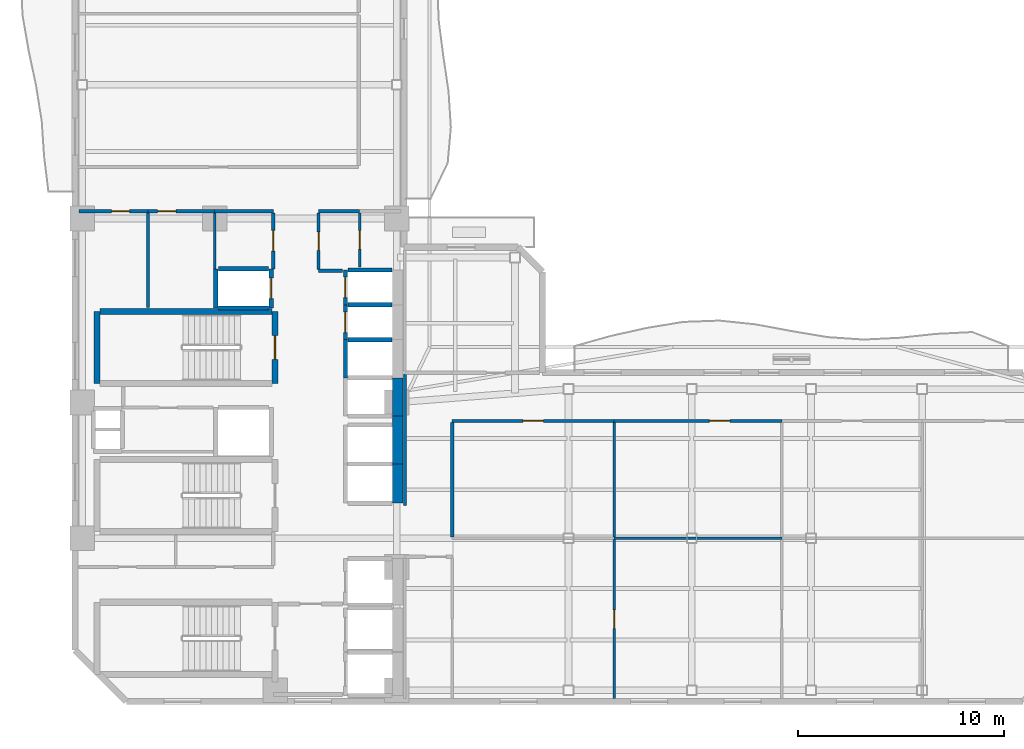
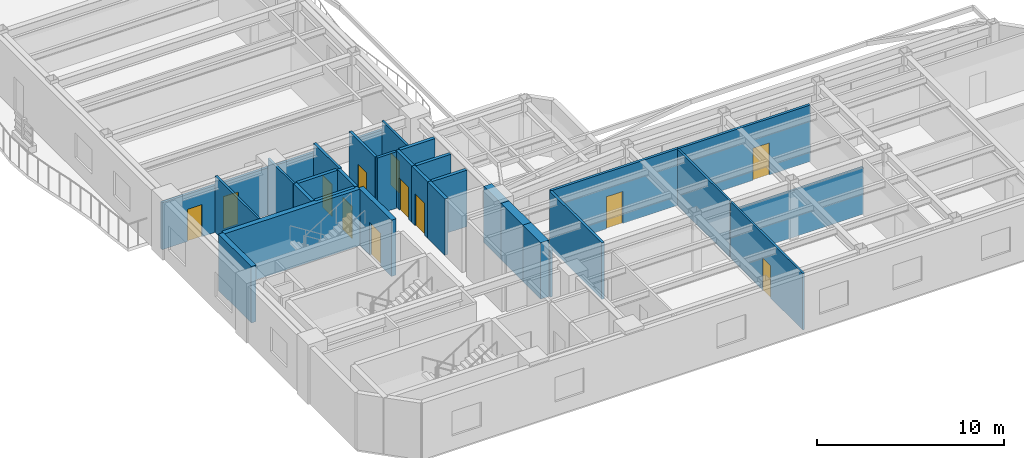
# One storey, part 4 of 10: 33 walls, 12 doors, 12 openings.
"""IFC4 building model written with IfcOpenShell, lengths in metres."""

from ifc_helpers import new_model, si_unit, direction, frame, frame_2d, origin, place, context, subcontext, project, spatial, rectangle, extrude, material, layer, layer_set, type_object, element, fill, save


model = new_model("IFC4")

# Units and contexts
model_context = context("Model", 3, precision=1e-05, world=origin(), true_north=direction((0.0, 1.0)))
body_context = subcontext(model_context, "Body", "Model", "MODEL_VIEW")
ifc_project = project(units=[si_unit("LENGTHUNIT", "METRE"), si_unit("AREAUNIT", "SQUARE_METRE"), si_unit("VOLUMEUNIT", "CUBIC_METRE"), si_unit("PLANEANGLEUNIT", "RADIAN"), si_unit("MASSUNIT", "GRAM", prefix="KILO")], contexts=[model_context])

# Site, building, storey
site_placement = place(None, origin())
site = spatial("IfcSite", under=ifc_project, at=site_placement, CompositionType="ELEMENT")
building_placement = place(site_placement, origin())
building = spatial("IfcBuilding", under=site, at=building_placement, Name="Mawjaban Terraces University", CompositionType="ELEMENT")
storey_placement = place(building_placement, frame((0.0, 0.0, 158.0)))
storey = spatial("IfcBuildingStorey", under=building, at=storey_placement, Name="L38", CompositionType="ELEMENT", Elevation=158.0)

# Walls
ifc_material_1 = material(Name="Concrete C60/75", Category="concrete")
ifc_layer_1 = layer(ifc_material_1, 0.5)
ifc_layer_set_1 = layer_set([ifc_layer_1], Name="Concrete C60/75")
wall_type_1 = type_object("IfcWallType", Name="CoreShearWall_500", PredefinedType="SHEAR", material=ifc_layer_set_1)
wall_1_placement = place(storey_placement, frame((37.699951171875, 9.64990234375, 0.0), z_axis=(0.0, 0.0, 1.0), x_axis=(0.0, 1.0, 0.0)))
element("IfcWall", 1, at=wall_1_placement, inside=storey, type_object=wall_type_1, Name="L38 Lift PL-H1 Hoistway Wall East", PredefinedType="SHEAR", context=body_context, shape_type="SweptSolid", body=[
    extrude(rectangle(XDim=1.900146484375, YDim=0.5, at=frame_2d((0.9501953125, 0.0))), origin(), (0.0, 0.0, 1.0), 3.68994140625),
])
wall_2_placement = place(storey_placement, frame((37.699951171875, 11.550048828125, 0.0), z_axis=(0.0, 0.0, 1.0), x_axis=(0.0, 1.0, 0.0)))
element("IfcWall", 2, at=wall_2_placement, inside=storey, type_object=wall_type_1, Name="L38 Lift PL-H2 Hoistway Wall East", PredefinedType="SHEAR", context=body_context, shape_type="SweptSolid", body=[
    extrude(rectangle(XDim=2.349853515625, YDim=0.5, at=frame_2d((1.1748046875, 0.0))), origin(), (0.0, 0.0, 1.0), 3.68994140625),
])
wall_3_placement = place(storey_placement, frame((37.699951171875, 13.89990234375, 0.0), z_axis=(0.0, 0.0, 1.0), x_axis=(0.0, 1.0, 0.0)))
element("IfcWall", 3, at=wall_3_placement, inside=storey, type_object=wall_type_1, Name="L38 Lift OL-1 Hoistway Wall East", PredefinedType="SHEAR", context=body_context, shape_type="SweptSolid", body=[
    extrude(rectangle(XDim=1.85009765625, YDim=0.5, at=frame_2d((0.925048828125, 0.0))), origin(), (0.0, 0.0, 1.0), 3.68994140625),
])

# Wall, opening, door
ifc_material_2 = material(Name="Fire-rated gypsum board on steel stud", Category="steel")
ifc_layer_2 = layer(ifc_material_2, 0.159912109375)
ifc_layer_set_2 = layer_set([ifc_layer_2], Name="Fire-rated gypsum board on steel stud")
wall_type_2 = type_object("IfcWallType", Name="CorridorPartition_160", PredefinedType="PARTITIONING", material=ifc_layer_set_2)
wall_4_placement = place(storey_placement, frame((25.550048828125, 23.85009765625, 0.0), z_axis=(0.0, 0.0, 1.0), x_axis=(-1.0, 0.0, 0.0)))
wall_4 = element("IfcWall", 4, at=wall_4_placement, inside=storey, type_object=wall_type_2, Name="L38 Female Toilet Partition 3", PredefinedType="PARTITIONING", context=body_context, shape_type="SweptSolid", body=[
    extrude(rectangle(XDim=3.35009765625, YDim=0.159912109375, at=frame_2d((1.675048828125, 0.0))), origin(), (0.0, 0.0, 1.0), 3.073974609375),
])
opening_1_placement = place(wall_4_placement, frame((0.885009765625, 0.0, 0.0)))
opening_1 = element("IfcOpeningElement", 5, at=opening_1_placement, cuts=wall_4, Name="Opening ID-088", PredefinedType="OPENING", context=body_context, shape_type="SweptSolid", body=[
    extrude(rectangle(XDim=0.8798828125, YDim=2.10009765625, at=frame_2d((0.43994140625, 1.050048828125))), frame((0.0, 0.08984375, 0.0), z_axis=(0.0, -1.0, 0.0), x_axis=(1.0, 0.0, 0.0)), (0.0, 0.0, 1.0), 0.179931640625),
])
ifc_material_3 = material(Name="Powder-coated steel frame and solid acoustic timber leaf", Category="steel")
door_type_1 = type_object("IfcDoorType", Name="ToiletDoor_880x2100", OperationType="NOTDEFINED", PredefinedType="DOOR", material=ifc_material_3)
door_1_placement = place(opening_1_placement, origin())
door_1 = element("IfcDoor", 6, at=door_1_placement, inside=storey, type_object=door_type_1, Name="L38 Female Toilet Door", OperationType="SINGLE_SWING_LEFT", OverallHeight=2.10009765625, OverallWidth=0.8798828125, PredefinedType="DOOR", context=body_context, shape_type="SweptSolid", body=[
    extrude(rectangle(XDim=0.8798828125, YDim=2.10009765625, at=frame_2d((0.43994140625, 1.050048828125))), frame((0.0, 0.02490234375, 0.0), z_axis=(0.0, -1.0, 0.0), x_axis=(1.0, 0.0, 0.0)), (0.0, 0.0, 1.0), 0.050048828125),
])
fill(opening_1, door_1)

wall_5_placement = place(storey_placement, frame((28.800048828125, 23.85009765625, 0.0), z_axis=(0.0, 0.0, 1.0), x_axis=(-1.0, 0.0, 0.0)))
wall_5 = element("IfcWall", 7, at=wall_5_placement, inside=storey, type_object=wall_type_2, Name="L38 Staff Tea Pantry Partition 5", PredefinedType="PARTITIONING", context=body_context, shape_type="SweptSolid", body=[
    extrude(rectangle(XDim=3.25, YDim=0.159912109375, at=frame_2d((1.625, 0.0))), origin(), (0.0, 0.0, 1.0), 3.073974609375),
])
opening_2_placement = place(wall_5_placement, frame((1.875, 0.0, 0.0)))
opening_2 = element("IfcOpeningElement", 8, at=opening_2_placement, cuts=wall_5, Name="Opening ID-090", PredefinedType="OPENING", context=body_context, shape_type="SweptSolid", body=[
    extrude(rectangle(XDim=0.89990234375, YDim=2.10009765625, at=frame_2d((0.449951171875, 1.050048828125))), frame((0.0, 0.08984375, 0.0), z_axis=(0.0, -1.0, 0.0), x_axis=(1.0, 0.0, 0.0)), (0.0, 0.0, 1.0), 0.179931640625),
])
door_type_2 = type_object("IfcDoorType", Name="OfficeDoor_900x2100", OperationType="NOTDEFINED", PredefinedType="DOOR", material=ifc_material_3)
door_2_placement = place(opening_2_placement, origin())
door_2 = element("IfcDoor", 9, at=door_2_placement, inside=storey, type_object=door_type_2, Name="L38 Staff Tea Pantry Door", OperationType="SINGLE_SWING_RIGHT", OverallHeight=2.10009765625, OverallWidth=0.89990234375, PredefinedType="DOOR", context=body_context, shape_type="SweptSolid", body=[
    extrude(rectangle(XDim=0.89990234375, YDim=2.10009765625, at=frame_2d((0.449951171875, 1.050048828125))), frame((0.0, 0.02490234375, 0.0), z_axis=(0.0, -1.0, 0.0), x_axis=(1.0, 0.0, 0.0)), (0.0, 0.0, 1.0), 0.050048828125),
])
fill(opening_2, door_2)

# Walls
wall_6_placement = place(storey_placement, frame((31.64990234375, 23.85009765625, 0.0), z_axis=(0.0, 0.0, 1.0), x_axis=(-1.0, 0.0, 0.0)))
element("IfcWall", 10, at=wall_6_placement, inside=storey, type_object=wall_type_2, Name="L38 Academic Tutorial Alcove Partition 8", PredefinedType="PARTITIONING", context=body_context, shape_type="SweptSolid", body=[
    extrude(rectangle(XDim=2.849853515625, YDim=0.159912109375, at=frame_2d((1.4248046875, 0.0))), origin(), (0.0, 0.0, 1.0), 3.073974609375),
])
wall_7_placement = place(storey_placement, frame((35.02001953125, 20.949951171875, 0.0), z_axis=(0.0, 0.0, 1.0), x_axis=(-1.0, 0.0, 0.0)))
element("IfcWall", 11, at=wall_7_placement, inside=storey, type_object=wall_type_2, Name="L38 Passenger Lift Lobby Partition 10", PredefinedType="PARTITIONING", context=body_context, shape_type="SweptSolid", body=[
    extrude(rectangle(XDim=1.169921875, YDim=0.159912109375, at=frame_2d((0.5849609375, 0.0))), origin(), (0.0, 0.0, 1.0), 3.68994140625),
])
wall_8_placement = place(storey_placement, frame((35.85009765625, 23.85009765625, 0.0), z_axis=(0.0, 0.0, 1.0), x_axis=(-1.0, 0.0, 0.0)))
element("IfcWall", 12, at=wall_8_placement, inside=storey, type_object=wall_type_2, Name="L38 Departmental Resource Seminar Room Partition 14", PredefinedType="PARTITIONING", context=body_context, shape_type="SweptSolid", body=[
    extrude(rectangle(XDim=2.0, YDim=0.159912109375, at=frame_2d((1.0, 0.0))), origin(), (0.0, 0.0, 1.0), 3.073974609375),
])

# Wall, opening, door
wall_9_placement = place(storey_placement, frame((40.35009765625, 13.64990234375, 0.0), z_axis=(0.0, 0.0, 1.0), x_axis=(1.0, 0.0, 0.0)))
wall_9 = element("IfcWall", 13, at=wall_9_placement, inside=storey, type_object=wall_type_2, Name="L38 Inner Terrace Gallery Corridor East Partition 17", PredefinedType="PARTITIONING", context=body_context, shape_type="SweptSolid", body=[
    extrude(rectangle(XDim=7.869873046875, YDim=0.159912109375, at=frame_2d((3.93505859375, 0.0))), origin(), (0.0, 0.0, 1.0), 3.68994140625),
])
opening_3_placement = place(wall_9_placement, frame((3.43505859375, 0.0, 0.0)))
opening_3 = element("IfcOpeningElement", 14, at=opening_3_placement, cuts=wall_9, Name="Opening ID-100", PredefinedType="OPENING", context=body_context, shape_type="SweptSolid", body=[
    extrude(rectangle(XDim=1.0, YDim=2.10009765625, at=frame_2d((0.5, 1.050048828125))), frame((0.0, 0.08984375, 0.0), z_axis=(0.0, -1.0, 0.0), x_axis=(1.0, 0.0, 0.0)), (0.0, 0.0, 1.0), 0.179931640625),
])
door_type_3 = type_object("IfcDoorType", Name="ClassroomDoor_1000x2100", OperationType="NOTDEFINED", PredefinedType="DOOR", material=ifc_material_3)
door_3_placement = place(opening_3_placement, origin())
door_3 = element("IfcDoor", 15, at=door_3_placement, inside=storey, type_object=door_type_3, Name="L38 Classroom 3 Door", OperationType="SINGLE_SWING_LEFT", OverallHeight=2.10009765625, OverallWidth=1.0, PredefinedType="DOOR", context=body_context, shape_type="SweptSolid", body=[
    extrude(rectangle(XDim=1.0, YDim=2.10009765625, at=frame_2d((0.5, 1.050048828125))), frame((0.0, 0.02490234375, 0.0), z_axis=(0.0, -1.0, 0.0), x_axis=(1.0, 0.0, 0.0)), (0.0, 0.0, 1.0), 0.050048828125),
])
fill(opening_3, door_3)

wall_10_placement = place(storey_placement, frame((48.219970703125, 13.64990234375, 0.0), z_axis=(0.0, 0.0, 1.0), x_axis=(1.0, 0.0, 0.0)))
wall_10 = element("IfcWall", 16, at=wall_10_placement, inside=storey, type_object=wall_type_2, Name="L38 Inner Terrace Gallery Corridor East Partition 21", PredefinedType="PARTITIONING", context=body_context, shape_type="SweptSolid", body=[
    extrude(rectangle(XDim=8.159912109375, YDim=0.159912109375, at=frame_2d((4.080078125, 0.0))), origin(), (0.0, 0.0, 1.0), 3.68994140625),
])
opening_4_placement = place(wall_10_placement, frame((4.6298828125, 0.0, 0.0)))
opening_4 = element("IfcOpeningElement", 17, at=opening_4_placement, cuts=wall_10, Name="Opening ID-100", PredefinedType="OPENING", context=body_context, shape_type="SweptSolid", body=[
    extrude(rectangle(XDim=1.0, YDim=2.10009765625, at=frame_2d((0.5, 1.050048828125))), frame((0.0, 0.08984375, 0.0), z_axis=(0.0, -1.0, 0.0), x_axis=(1.0, 0.0, 0.0)), (0.0, 0.0, 1.0), 0.179931640625),
])
door_4_placement = place(opening_4_placement, origin())
door_4 = element("IfcDoor", 18, at=door_4_placement, inside=storey, type_object=door_type_3, Name="L38 Tutorial Room 5 Door", OperationType="SINGLE_SWING_LEFT", OverallHeight=2.10009765625, OverallWidth=1.0, PredefinedType="DOOR", context=body_context, shape_type="SweptSolid", body=[
    extrude(rectangle(XDim=1.0, YDim=2.10009765625, at=frame_2d((0.5, 1.050048828125))), frame((0.0, 0.02490234375, 0.0), z_axis=(0.0, -1.0, 0.0), x_axis=(1.0, 0.0, 0.0)), (0.0, 0.0, 1.0), 0.050048828125),
])
fill(opening_4, door_4)

wall_11_placement = place(storey_placement, frame((31.64990234375, 23.77490234375, 0.0), z_axis=(0.0, 0.0, 1.0), x_axis=(0.0, -1.0, 0.0)))
wall_11 = element("IfcWall", 19, at=wall_11_placement, inside=storey, type_object=wall_type_2, Name="L38 Core North Lift Lobby Partition 32", PredefinedType="PARTITIONING", context=body_context, shape_type="SweptSolid", body=[
    extrude(rectangle(XDim=2.724853515625, YDim=0.159912109375, at=frame_2d((1.3623046875, 0.0))), origin(), (0.0, 0.0, 1.0), 3.68994140625),
])
opening_5_placement = place(wall_11_placement, frame((0.862060546875, 0.0, 0.0)))
opening_5 = element("IfcOpeningElement", 20, at=opening_5_placement, cuts=wall_11, Name="Opening ID-100", PredefinedType="OPENING", context=body_context, shape_type="SweptSolid", body=[
    extrude(rectangle(XDim=1.0, YDim=2.10009765625, at=frame_2d((0.5, 1.050048828125))), frame((0.0, 0.08984375, 0.0), z_axis=(0.0, -1.0, 0.0), x_axis=(1.0, 0.0, 0.0)), (0.0, 0.0, 1.0), 0.179931640625),
])
door_5_placement = place(opening_5_placement, origin())
door_5 = element("IfcDoor", 21, at=door_5_placement, inside=storey, type_object=door_type_3, Name="L38 Academic Tutorial Alcove Door", OperationType="SINGLE_SWING_LEFT", OverallHeight=2.10009765625, OverallWidth=1.0, PredefinedType="DOOR", context=body_context, shape_type="SweptSolid", body=[
    extrude(rectangle(XDim=1.0, YDim=2.10009765625, at=frame_2d((0.5, 1.050048828125))), frame((0.0, 0.02490234375, 0.0), z_axis=(0.0, -1.0, 0.0), x_axis=(1.0, 0.0, 0.0)), (0.0, 0.0, 1.0), 0.050048828125),
])
fill(opening_5, door_5)

wall_12_placement = place(storey_placement, frame((33.85009765625, 21.02490234375, 0.0), z_axis=(0.0, 0.0, 1.0), x_axis=(0.0, 1.0, 0.0)))
wall_12 = element("IfcWall", 22, at=wall_12_placement, inside=storey, type_object=wall_type_2, Name="L38 Core North Lift Lobby Partition 33", PredefinedType="PARTITIONING", context=body_context, shape_type="SweptSolid", body=[
    extrude(rectangle(XDim=2.75, YDim=0.159912109375, at=frame_2d((1.375, 0.0))), origin(), (0.0, 0.0, 1.0), 3.68994140625),
])
opening_6_placement = place(wall_12_placement, frame((0.925048828125, 0.0, 0.0)))
opening_6 = element("IfcOpeningElement", 23, at=opening_6_placement, cuts=wall_12, Name="Opening ID-090", PredefinedType="OPENING", context=body_context, shape_type="SweptSolid", body=[
    extrude(rectangle(XDim=0.89990234375, YDim=2.10009765625, at=frame_2d((0.449951171875, 1.050048828125))), frame((0.0, 0.08984375, 0.0), z_axis=(0.0, -1.0, 0.0), x_axis=(1.0, 0.0, 0.0)), (0.0, 0.0, 1.0), 0.179931640625),
])
door_6_placement = place(opening_6_placement, origin())
door_6 = element("IfcDoor", 24, at=door_6_placement, inside=storey, type_object=door_type_2, Name="L38 Departmental Resource Seminar Room Door", OperationType="SINGLE_SWING_LEFT", OverallHeight=2.10009765625, OverallWidth=0.89990234375, PredefinedType="DOOR", context=body_context, shape_type="SweptSolid", body=[
    extrude(rectangle(XDim=0.89990234375, YDim=2.10009765625, at=frame_2d((0.449951171875, 1.050048828125))), frame((0.0, 0.02490234375, 0.0), z_axis=(0.0, -1.0, 0.0), x_axis=(1.0, 0.0, 0.0)), (0.0, 0.0, 1.0), 0.050048828125),
])
fill(opening_6, door_6)

# Walls
wall_13_placement = place(storey_placement, frame((38.050048828125, 15.925048828125, 0.0), z_axis=(0.0, 0.0, 1.0), x_axis=(0.0, -1.0, 0.0)))
element("IfcWall", 25, at=wall_13_placement, inside=storey, type_object=wall_type_2, Name="L38 Inner Gallery Link Corridor Partition 39", PredefinedType="PARTITIONING", context=body_context, shape_type="SweptSolid", body=[
    extrude(rectangle(XDim=6.375, YDim=0.159912109375, at=frame_2d((3.1875, 0.0))), origin(), (0.0, 0.0, 1.0), 3.073974609375),
])
wall_14_placement = place(storey_placement, frame((40.35009765625, 8.0, 0.0), z_axis=(0.0, 0.0, 1.0), x_axis=(0.0, 1.0, 0.0)))
element("IfcWall", 26, at=wall_14_placement, inside=storey, type_object=wall_type_2, Name="L38 Inner Gallery Link Corridor Partition 42", PredefinedType="PARTITIONING", context=body_context, shape_type="SweptSolid", body=[
    extrude(rectangle(XDim=5.574951171875, YDim=0.159912109375, at=frame_2d((2.78759765625, 0.0))), origin(), (0.0, 0.0, 1.0), 3.68994140625),
])
ifc_material_4 = material(Name="Concrete C40/50", Category="concrete")
ifc_layer_3 = layer(ifc_material_4, 0.199951171875)
ifc_layer_set_3 = layer_set([ifc_layer_3], Name="Concrete C40/50")
wall_type_3 = type_object("IfcWallType", Name="FireLobbyWall_200", PredefinedType="SOLIDWALL", material=ifc_layer_set_3)
wall_15_placement = place(storey_placement, frame((35.14990234375, 17.60009765625, 0.0), z_axis=(0.0, 0.0, 1.0), x_axis=(0.0, -1.0, 0.0)))
element("IfcWall", 27, at=wall_15_placement, inside=storey, type_object=wall_type_3, Name="L38 Lift OL-2 Hoistway Wall West", PredefinedType="SOLIDWALL", context=body_context, shape_type="SweptSolid", body=[
    extrude(rectangle(XDim=1.85009765625, YDim=0.199951171875, at=frame_2d((0.925048828125, 0.0))), origin(), (0.0, 0.0, 1.0), 3.68994140625),
])
wall_16_placement = place(storey_placement, frame((37.419921875, 17.60009765625, 0.0), z_axis=(0.0, 0.0, 1.0), x_axis=(-1.0, 0.0, 0.0)))
element("IfcWall", 28, at=wall_16_placement, inside=storey, type_object=wall_type_3, Name="L38 Lift OL-2 Hoistway Wall North", PredefinedType="SOLIDWALL", context=body_context, shape_type="SweptSolid", body=[
    extrude(rectangle(XDim=2.139892578125, YDim=0.199951171875, at=frame_2d((1.06982421875, 0.0))), origin(), (0.0, 0.0, 1.0), 3.68994140625),
])

# Wall, opening, door
wall_17_placement = place(storey_placement, frame((35.14990234375, 19.300048828125, 0.0), z_axis=(0.0, 0.0, 1.0), x_axis=(0.0, -1.0, 0.0)))
wall_17 = element("IfcWall", 29, at=wall_17_placement, inside=storey, type_object=wall_type_3, Name="L38 Lift PL-M1 Hoistway Wall West", PredefinedType="SOLIDWALL", context=body_context, shape_type="SweptSolid", body=[
    extrude(rectangle(XDim=1.699951171875, YDim=0.199951171875, at=frame_2d((0.85009765625, 0.0))), origin(), (0.0, 0.0, 1.0), 3.68994140625),
])
opening_7_placement = place(wall_17_placement, frame((0.35009765625, 0.0, 0.0)))
opening_7 = element("IfcOpeningElement", 30, at=opening_7_placement, cuts=wall_17, Name="Opening LD-PL-M1", PredefinedType="OPENING", context=body_context, shape_type="SweptSolid", body=[
    extrude(rectangle(XDim=1.0, YDim=2.10009765625, at=frame_2d((0.5, 1.050048828125))), frame((0.0, 0.10986328125, 0.0), z_axis=(0.0, -1.0, 0.0), x_axis=(1.0, 0.0, 0.0)), (0.0, 0.0, 1.0), 0.219970703125),
])
ifc_material_5 = material(Name="Powder-coated steel frame and fire-rated steel-faced leaf", Category="steel")
door_type_4 = type_object("IfcDoorType", Name="LiftLandingSliding_1000x2100", OperationType="NOTDEFINED", PredefinedType="DOOR", material=ifc_material_5)
door_7_placement = place(opening_7_placement, origin())
door_7 = element("IfcDoor", 31, at=door_7_placement, inside=storey, type_object=door_type_4, Name="L38 Lift PL-M1 Sliding Landing Door", OperationType="DOUBLE_DOOR_SLIDING", OverallHeight=2.10009765625, OverallWidth=1.0, PredefinedType="DOOR", context=body_context, shape_type="SweptSolid", body=[
    extrude(rectangle(XDim=1.0, YDim=2.10009765625, at=frame_2d((0.5, 1.050048828125))), frame((0.0, 0.02490234375, 0.0), z_axis=(0.0, -1.0, 0.0), x_axis=(1.0, 0.0, 0.0)), (0.0, 0.0, 1.0), 0.050048828125),
])
fill(opening_7, door_7)

# Wall
wall_18_placement = place(storey_placement, frame((37.419921875, 19.300048828125, 0.0), z_axis=(0.0, 0.0, 1.0), x_axis=(-1.0, 0.0, 0.0)))
element("IfcWall", 32, at=wall_18_placement, inside=storey, type_object=wall_type_3, Name="L38 Lift PL-M1 Hoistway Wall North", PredefinedType="SOLIDWALL", context=body_context, shape_type="SweptSolid", body=[
    extrude(rectangle(XDim=2.139892578125, YDim=0.199951171875, at=frame_2d((1.06982421875, 0.0))), origin(), (0.0, 0.0, 1.0), 3.68994140625),
])

# Wall, opening, door
wall_19_placement = place(storey_placement, frame((35.14990234375, 21.0, 0.0), z_axis=(0.0, 0.0, 1.0), x_axis=(0.0, -1.0, 0.0)))
wall_19 = element("IfcWall", 33, at=wall_19_placement, inside=storey, type_object=wall_type_3, Name="L38 Lift PL-M2 Hoistway Wall West", PredefinedType="SOLIDWALL", context=body_context, shape_type="SweptSolid", body=[
    extrude(rectangle(XDim=1.699951171875, YDim=0.199951171875, at=frame_2d((0.85009765625, 0.0))), origin(), (0.0, 0.0, 1.0), 3.68994140625),
])
opening_8_placement = place(wall_19_placement, frame((0.35009765625, 0.0, 0.0)))
opening_8 = element("IfcOpeningElement", 34, at=opening_8_placement, cuts=wall_19, Name="Opening LD-PL-M2", PredefinedType="OPENING", context=body_context, shape_type="SweptSolid", body=[
    extrude(rectangle(XDim=1.0, YDim=2.10009765625, at=frame_2d((0.5, 1.050048828125))), frame((0.0, 0.10986328125, 0.0), z_axis=(0.0, -1.0, 0.0), x_axis=(1.0, 0.0, 0.0)), (0.0, 0.0, 1.0), 0.219970703125),
])
door_8_placement = place(opening_8_placement, origin())
door_8 = element("IfcDoor", 35, at=door_8_placement, inside=storey, type_object=door_type_4, Name="L38 Lift PL-M2 Sliding Landing Door", OperationType="DOUBLE_DOOR_SLIDING", OverallHeight=2.10009765625, OverallWidth=1.0, PredefinedType="DOOR", context=body_context, shape_type="SweptSolid", body=[
    extrude(rectangle(XDim=1.0, YDim=2.10009765625, at=frame_2d((0.5, 1.050048828125))), frame((0.0, 0.02490234375, 0.0), z_axis=(0.0, -1.0, 0.0), x_axis=(1.0, 0.0, 0.0)), (0.0, 0.0, 1.0), 0.050048828125),
])
fill(opening_8, door_8)

# Walls
wall_20_placement = place(storey_placement, frame((37.419921875, 21.0, 0.0), z_axis=(0.0, 0.0, 1.0), x_axis=(-1.0, 0.0, 0.0)))
element("IfcWall", 36, at=wall_20_placement, inside=storey, type_object=wall_type_3, Name="L38 Lift PL-M2 Hoistway Wall North", PredefinedType="SOLIDWALL", context=body_context, shape_type="SweptSolid", body=[
    extrude(rectangle(XDim=2.139892578125, YDim=0.199951171875, at=frame_2d((1.06982421875, 0.0))), origin(), (0.0, 0.0, 1.0), 3.68994140625),
])
wall_21_placement = place(storey_placement, frame((28.85009765625, 21.050048828125, 0.0), z_axis=(0.0, 0.0, 1.0), x_axis=(0.0, -1.0, 0.0)))
element("IfcWall", 37, at=wall_21_placement, inside=storey, type_object=wall_type_3, Name="L38 Lift PL-M3 Hoistway Wall West", PredefinedType="SOLIDWALL", context=body_context, shape_type="SweptSolid", body=[
    extrude(rectangle(XDim=1.900146484375, YDim=0.199951171875, at=frame_2d((0.9501953125, 0.0))), origin(), (0.0, 0.0, 1.0), 3.68994140625),
])

# Wall, opening, door
wall_22_placement = place(storey_placement, frame((31.550048828125, 19.14990234375, 0.0), z_axis=(0.0, 0.0, 1.0), x_axis=(0.0, 1.0, 0.0)))
wall_22 = element("IfcWall", 38, at=wall_22_placement, inside=storey, type_object=wall_type_3, Name="L38 Lift PL-M3 Hoistway Wall East", PredefinedType="SOLIDWALL", context=body_context, shape_type="SweptSolid", body=[
    extrude(rectangle(XDim=1.900146484375, YDim=0.199951171875, at=frame_2d((0.9501953125, 0.0))), origin(), (0.0, 0.0, 1.0), 3.68994140625),
])
opening_9_placement = place(wall_22_placement, frame((0.449951171875, 0.0, 0.0)))
opening_9 = element("IfcOpeningElement", 39, at=opening_9_placement, cuts=wall_22, Name="Opening LD-PL-M3", PredefinedType="OPENING", context=body_context, shape_type="SweptSolid", body=[
    extrude(rectangle(XDim=1.0, YDim=2.10009765625, at=frame_2d((0.5, 1.050048828125))), frame((0.0, 0.10986328125, 0.0), z_axis=(0.0, -1.0, 0.0), x_axis=(1.0, 0.0, 0.0)), (0.0, 0.0, 1.0), 0.219970703125),
])
door_9_placement = place(opening_9_placement, origin())
door_9 = element("IfcDoor", 40, at=door_9_placement, inside=storey, type_object=door_type_4, Name="L38 Lift PL-M3 Sliding Landing Door", OperationType="DOUBLE_DOOR_SLIDING", OverallHeight=2.10009765625, OverallWidth=1.0, PredefinedType="DOOR", context=body_context, shape_type="SweptSolid", body=[
    extrude(rectangle(XDim=1.0, YDim=2.10009765625, at=frame_2d((0.5, 1.050048828125))), frame((0.0, 0.02490234375, 0.0), z_axis=(0.0, -1.0, 0.0), x_axis=(1.0, 0.0, 0.0)), (0.0, 0.0, 1.0), 0.050048828125),
])
fill(opening_9, door_9)

# Walls
for number, where, z_axis, x_axis, name in (
    (41, (28.97998046875, 19.14990234375, 0.0), (0.0, 0.0, 1.0), (1.0, 0.0, 0.0), "L38 Lift PL-M3 Hoistway Wall South"),
    (42, (31.419921875, 21.050048828125, 0.0), (0.0, 0.0, 1.0), (-1.0, 0.0, 0.0), "L38 Lift PL-M3 Hoistway Wall North"),
):
    element("IfcWall", number, at=place(storey_placement, frame(where, z_axis=z_axis, x_axis=x_axis)), inside=storey, type_object=wall_type_3, Name=name, PredefinedType="SOLIDWALL", context=body_context, shape_type="SweptSolid", body=[
        extrude(rectangle(XDim=2.43994140625, YDim=0.199951171875, at=frame_2d((1.219970703125, 0.0))), origin(), (0.0, 0.0, 1.0), 3.68994140625),
    ])
ifc_material_6 = material(Name="Gypsum plasterboard on steel stud", Category="steel")
ifc_layer_4 = layer(ifc_material_6, 0.125)
ifc_layer_set_4 = layer_set([ifc_layer_4], Name="Gypsum plasterboard on steel stud")
wall_type_4 = type_object("IfcWallType", Name="OfficePartition_125", PredefinedType="PARTITIONING", material=ifc_layer_set_4)
wall_23_placement = place(storey_placement, frame((56.3798828125, 7.949951171875, 0.0), z_axis=(0.0, 0.0, 1.0), x_axis=(-1.0, 0.0, 0.0)))
element("IfcWall", 43, at=wall_23_placement, inside=storey, type_object=wall_type_4, Name="L38 Seminar Room 4 Partition 22", PredefinedType="PARTITIONING", context=body_context, shape_type="SweptSolid", body=[
    extrude(rectangle(XDim=8.159912109375, YDim=0.125, at=frame_2d((4.080078125, 0.0))), origin(), (0.0, 0.0, 1.0), 3.073974609375),
])
wall_24_placement = place(storey_placement, frame((28.800048828125, 23.77490234375, 0.0), z_axis=(0.0, 0.0, 1.0), x_axis=(0.0, -1.0, 0.0)))
element("IfcWall", 44, at=wall_24_placement, inside=storey, type_object=wall_type_4, Name="L38 Academic Tutorial Alcove Partition 30", PredefinedType="PARTITIONING", context=body_context, shape_type="SweptSolid", body=[
    extrude(rectangle(XDim=2.724853515625, YDim=0.125, at=frame_2d((1.3623046875, 0.0))), origin(), (0.0, 0.0, 1.0), 3.68994140625),
])

# Wall, opening, door
wall_25_placement = place(storey_placement, frame((35.85009765625, 21.1298828125, 0.0), z_axis=(0.0, 0.0, 1.0), x_axis=(0.0, 1.0, 0.0)))
wall_25 = element("IfcWall", 45, at=wall_25_placement, inside=storey, type_object=wall_type_4, Name="L38 Departmental Resource Seminar Room Partition 37", PredefinedType="PARTITIONING", context=body_context, shape_type="SweptSolid", body=[
    extrude(rectangle(XDim=2.64501953125, YDim=0.125, at=frame_2d((1.322509765625, 0.0))), origin(), (0.0, 0.0, 1.0), 3.68994140625),
])
opening_10_placement = place(wall_25_placement, frame((0.8720703125, 0.0, 0.0)))
opening_10 = element("IfcOpeningElement", 46, at=opening_10_placement, cuts=wall_25, Name="Opening ID-090", PredefinedType="OPENING", context=body_context, shape_type="SweptSolid", body=[
    extrude(rectangle(XDim=0.89990234375, YDim=2.10009765625, at=frame_2d((0.449951171875, 1.050048828125))), frame((0.0, 0.072509765625, 0.0), z_axis=(0.0, -1.0, 0.0), x_axis=(1.0, 0.0, 0.0)), (0.0, 0.0, 1.0), 0.14501953125),
])
door_10_placement = place(opening_10_placement, origin())
door_10 = element("IfcDoor", 47, at=door_10_placement, inside=storey, type_object=door_type_2, Name="L38 Faculty Archive Closet Door", OperationType="SINGLE_SWING_RIGHT", OverallHeight=2.10009765625, OverallWidth=0.89990234375, PredefinedType="DOOR", context=body_context, shape_type="SweptSolid", body=[
    extrude(rectangle(XDim=0.89990234375, YDim=2.10009765625, at=frame_2d((0.449951171875, 1.050048828125))), frame((0.0, 0.02490234375, 0.0), z_axis=(0.0, -1.0, 0.0), x_axis=(1.0, 0.0, 0.0)), (0.0, 0.0, 1.0), 0.050048828125),
])
fill(opening_10, door_10)

wall_26_placement = place(storey_placement, frame((48.219970703125, 0.14501953125, 0.0), z_axis=(0.0, 0.0, 1.0), x_axis=(0.0, 1.0, 0.0)))
wall_26 = element("IfcWall", 48, at=wall_26_placement, inside=storey, type_object=wall_type_4, Name="L38 Conference Room 2 Partition 43", PredefinedType="PARTITIONING", context=body_context, shape_type="SweptSolid", body=[
    extrude(rectangle(XDim=7.748046875, YDim=0.125, at=frame_2d((3.8740234375, 0.0))), origin(), (0.0, 0.0, 1.0), 3.68994140625),
])
opening_11_placement = place(wall_26_placement, frame((3.424072265625, 0.0, 0.0)))
opening_11 = element("IfcOpeningElement", 49, at=opening_11_placement, cuts=wall_26, Name="Opening ID-090", PredefinedType="OPENING", context=body_context, shape_type="SweptSolid", body=[
    extrude(rectangle(XDim=0.89990234375, YDim=2.10009765625, at=frame_2d((0.449951171875, 1.050048828125))), frame((0.0, 0.072509765625, 0.0), z_axis=(0.0, -1.0, 0.0), x_axis=(1.0, 0.0, 0.0)), (0.0, 0.0, 1.0), 0.14501953125),
])
door_11_placement = place(opening_11_placement, origin())
door_11 = element("IfcDoor", 50, at=door_11_placement, inside=storey, type_object=door_type_2, Name="L38 Seminar Room 4 Door", OperationType="SINGLE_SWING_RIGHT", OverallHeight=2.10009765625, OverallWidth=0.89990234375, PredefinedType="DOOR", context=body_context, shape_type="SweptSolid", body=[
    extrude(rectangle(XDim=0.89990234375, YDim=2.10009765625, at=frame_2d((0.449951171875, 1.050048828125))), frame((0.0, 0.02490234375, 0.0), z_axis=(0.0, -1.0, 0.0), x_axis=(1.0, 0.0, 0.0)), (0.0, 0.0, 1.0), 0.050048828125),
])
fill(opening_11, door_11)

# Walls
wall_27_placement = place(storey_placement, frame((48.219970703125, 8.008056640625, 0.0), z_axis=(0.0, 0.0, 1.0), x_axis=(0.0, 1.0, 0.0)))
element("IfcWall", 51, at=wall_27_placement, inside=storey, type_object=wall_type_4, Name="L38 Classroom 3 Partition 44", PredefinedType="PARTITIONING", context=body_context, shape_type="SweptSolid", body=[
    extrude(rectangle(XDim=5.56689453125, YDim=0.125, at=frame_2d((2.783447265625, 0.0))), origin(), (0.0, 0.0, 1.0), 3.68994140625),
])
ifc_layer_5 = layer(ifc_material_1, 0.300048828125)
ifc_layer_set_5 = layer_set([ifc_layer_5], Name="Concrete C60/75")
wall_type_5 = type_object("IfcWallType", Name="StairShaftWall_300", PredefinedType="SHEAR", material=ifc_layer_set_5)
wall_28_placement = place(storey_placement, frame((31.580078125, 18.97998046875, 0.0), z_axis=(0.0, 0.0, 1.0), x_axis=(-1.0, 0.0, 0.0)))
element("IfcWall", 52, at=wall_28_placement, inside=storey, type_object=wall_type_5, Name="L38 ST-2 Stair Shaft Wall 1", PredefinedType="SHEAR", context=body_context, shape_type="SweptSolid", body=[
    extrude(rectangle(XDim=8.360107421875, YDim=0.300048828125, at=frame_2d((4.18017578125, 0.0))), origin(), (0.0, 0.0, 1.0), 3.68994140625),
])
wall_29_placement = place(storey_placement, frame((23.070068359375, 18.97998046875, 0.0), z_axis=(0.0, 0.0, 1.0), x_axis=(0.0, -1.0, 0.0)))
element("IfcWall", 53, at=wall_29_placement, inside=storey, type_object=wall_type_5, Name="L38 ST-2 Stair Shaft Wall 2", PredefinedType="SHEAR", context=body_context, shape_type="SweptSolid", body=[
    extrude(rectangle(XDim=3.510009765625, YDim=0.300048828125, at=frame_2d((1.7548828125, 0.0))), origin(), (0.0, 0.0, 1.0), 3.68994140625),
])

# Wall, opening, door
wall_30_placement = place(storey_placement, frame((31.72998046875, 15.469970703125, 0.0), z_axis=(0.0, 0.0, 1.0), x_axis=(0.0, 1.0, 0.0)))
wall_30 = element("IfcWall", 54, at=wall_30_placement, inside=storey, type_object=wall_type_5, Name="L38 ST-2 Stair Shaft Wall 4", PredefinedType="SHEAR", context=body_context, shape_type="SweptSolid", body=[
    extrude(rectangle(XDim=3.510009765625, YDim=0.300048828125, at=frame_2d((1.7548828125, 0.0))), origin(), (0.0, 0.0, 1.0), 3.68994140625),
])
opening_12_placement = place(wall_30_placement, frame((1.179931640625, 0.0, 0.0)))
opening_12 = element("IfcOpeningElement", 55, at=opening_12_placement, cuts=wall_30, Name="Opening FD-115", PredefinedType="OPENING", context=body_context, shape_type="SweptSolid", body=[
    extrude(rectangle(XDim=1.14990234375, YDim=2.14990234375, at=frame_2d((0.574951171875, 1.074951171875))), frame((0.0, 0.159912109375, 0.0), z_axis=(0.0, -1.0, 0.0), x_axis=(1.0, 0.0, 0.0)), (0.0, 0.0, 1.0), 0.320068359375),
])
door_type_5 = type_object("IfcDoorType", Name="FireStairDoor_1150x2150", OperationType="NOTDEFINED", PredefinedType="DOOR", material=ifc_material_5)
door_12_placement = place(opening_12_placement, origin())
door_12 = element("IfcDoor", 56, at=door_12_placement, inside=storey, type_object=door_type_5, Name="L38 ST-2 Pressurised Stair Fire Door", OperationType="SINGLE_SWING_RIGHT", OverallHeight=2.14990234375, OverallWidth=1.14990234375, PredefinedType="DOOR", context=body_context, shape_type="SweptSolid", body=[
    extrude(rectangle(XDim=1.14990234375, YDim=2.14990234375, at=frame_2d((0.574951171875, 1.074951171875))), frame((0.0, 0.02490234375, 0.0), z_axis=(0.0, -1.0, 0.0), x_axis=(1.0, 0.0, 0.0)), (0.0, 0.0, 1.0), 0.050048828125),
])
fill(opening_12, door_12)

# Wall
ifc_material_7 = material(Name="Cement-board wet-room partition", Category="masonry")
ifc_layer_6 = layer(ifc_material_7, 0.135009765625)
ifc_layer_set_6 = layer_set([ifc_layer_6], Name="Cement-board wet-room partition")
wall_type_6 = type_object("IfcWallType", Name="WetRoomPartition_135", PredefinedType="PARTITIONING", material=ifc_layer_set_6)
wall_31_placement = place(storey_placement, frame((25.550048828125, 19.159912109375, 0.0), z_axis=(0.0, 0.0, 1.0), x_axis=(0.0, 1.0, 0.0)))
element("IfcWall", 57, at=wall_31_placement, inside=storey, type_object=wall_type_6, Name="L38 Female Toilet Partition 28", PredefinedType="PARTITIONING", context=body_context, shape_type="SweptSolid", body=[
    extrude(rectangle(XDim=4.614990234375, YDim=0.135009765625, at=frame_2d((2.3076171875, 0.0))), origin(), (0.0, 0.0, 1.0), 3.68994140625),
])

save(model, "model.ifc")
